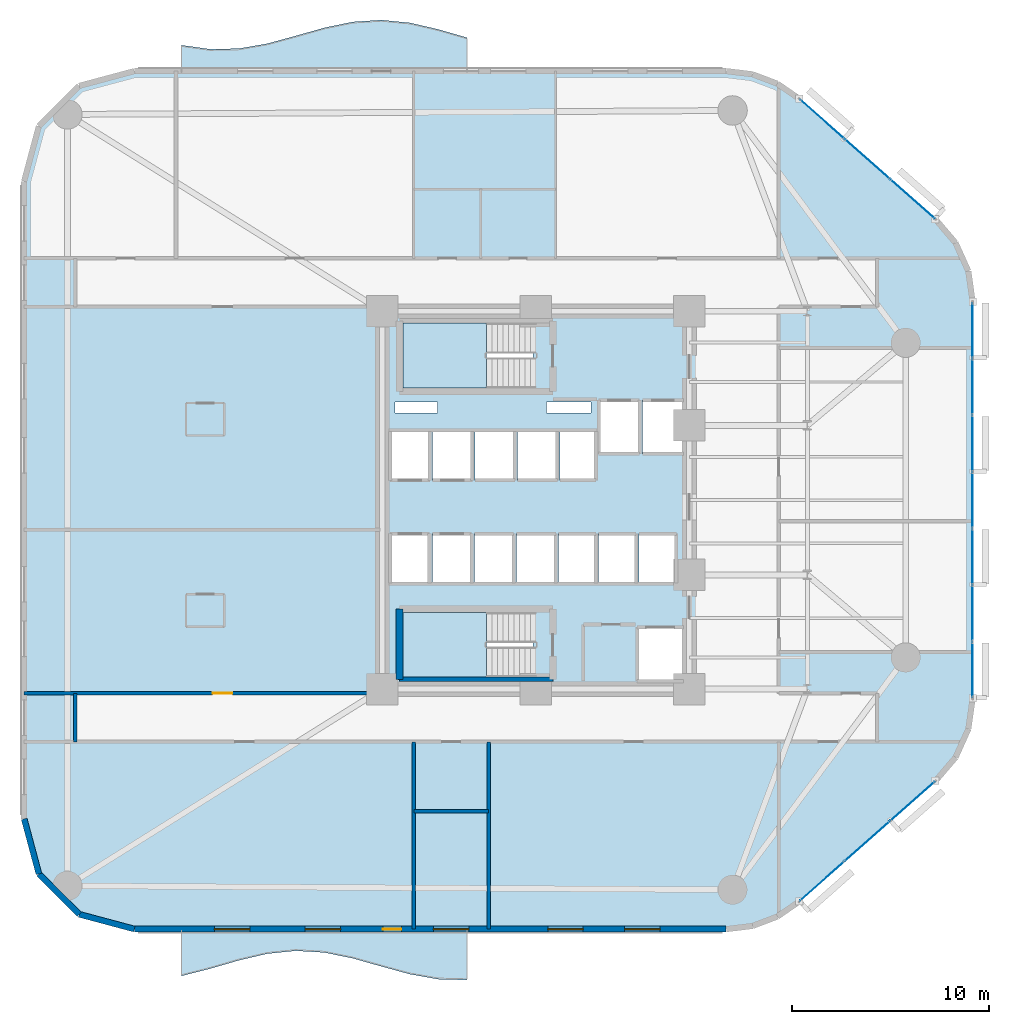
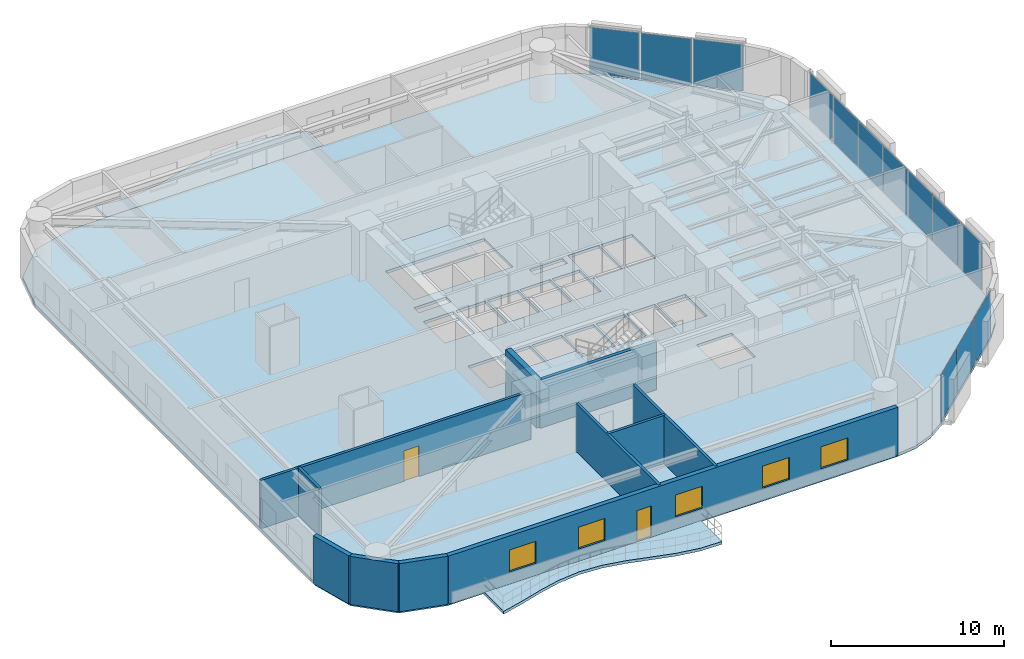
# One storey, part 9 of 16: 13 plates, 11 walls, 5 slabs, 5 windows, 2 doors, 7 openings, 5 elements without a shape of their own.
"""IFC4 building model written with IfcOpenShell, lengths in metres."""

from ifc_helpers import new_model, si_unit, direction, frame, frame_2d, origin, origin_2d, place, context, subcontext, project, spatial, polyline, rectangle, outline, extrude, material, layer, layer_set, type_object, element, fill, aggregate, save


model = new_model("IFC4")

# Units and contexts
model_context = context("Model", 3, precision=1e-05, world=origin(), true_north=direction((0.0, 1.0)))
body_context = subcontext(model_context, "Body", "Model", "MODEL_VIEW")
ifc_project = project(units=[si_unit("LENGTHUNIT", "METRE"), si_unit("AREAUNIT", "SQUARE_METRE"), si_unit("VOLUMEUNIT", "CUBIC_METRE"), si_unit("PLANEANGLEUNIT", "RADIAN"), si_unit("MASSUNIT", "GRAM", prefix="KILO")], contexts=[model_context])

# Site, building, storey
site_placement = place(None, origin())
site = spatial("IfcSite", under=ifc_project, at=site_placement, CompositionType="ELEMENT")
building_placement = place(site_placement, origin())
building = spatial("IfcBuilding", under=site, at=building_placement, Name="An Khanh Terracotta Commons", CompositionType="ELEMENT")
storey_placement = place(building_placement, frame((0.0, 0.0, 43.199951171875)))
storey = spatial("IfcBuildingStorey", under=building, at=storey_placement, Name="L11", CompositionType="ELEMENT", Elevation=43.199951171875)

# Curtain wall, plates
ifc_material_1 = material(Name="Anodised Aluminium 6063-T6", Category="aluminium")
ifc_layer_1 = layer(ifc_material_1, 0.199951171875, Name="Anodised Aluminium 6063-T6")
ifc_layer_set_1 = layer_set([ifc_layer_1], Name="Anodised Aluminium 6063-T6")
curtain_wall_type = type_object("IfcCurtainWallType", Name="CW-SYS-02", PredefinedType="USERDEFINED", material=ifc_layer_set_1)
curtain_wall_1_placement = place(storey_placement, origin())
curtain_wall_1 = element("IfcCurtainWall", 1, at=curtain_wall_1_placement, inside=storey, type_object=curtain_wall_type, Name="L11 CW-02 Unitised Curtain Wall CW-L11-08", ObjectType="UNITISED CURTAIN WALL", PredefinedType="USERDEFINED")
ifc_material_2 = material(Name="Double Low-E Solar Control Glazing", Category="glass")
ifc_layer_2 = layer(ifc_material_2, 0.028076171875, Name="Double Low-E Solar Control Glazing")
ifc_layer_set_2 = layer_set([ifc_layer_2], Name="Double Low-E Solar Control Glazing")
plate_type = type_object("IfcPlateType", Name="CWP-IGU-28", PredefinedType="CURTAIN_PANEL", material=ifc_layer_set_2)
plate_1_placement = place(storey_placement, frame((43.95556640625, 4.637939453125, 0.06005859375), z_axis=(0.0, 0.0, 1.0), x_axis=(0.749019284633, 0.662548195415, 0.0)))
plate_1 = element("IfcPlate", 2, at=plate_1_placement, type_object=plate_type, Name="CW-02 panel 1.1", PredefinedType="CURTAIN_PANEL", context=body_context, shape_type="SweptSolid", body=[
    extrude(rectangle(XDim=2.97509765625, YDim=0.028076171875, at=origin_2d()), origin(), (0.0, 0.0, 1.0), 3.280029296875),
])
plate_2_placement = place(storey_placement, frame((46.24951171875, 6.6669921875, 0.06005859375), z_axis=(0.0, 0.0, 1.0), x_axis=(0.749019284633, 0.662548195415, 0.0)))
plate_2 = element("IfcPlate", 3, at=plate_2_placement, type_object=plate_type, Name="CW-02 panel 2.1", PredefinedType="CURTAIN_PANEL", context=body_context, shape_type="SweptSolid", body=[
    extrude(rectangle(XDim=3.010009765625, YDim=0.028076171875, at=origin_2d()), origin(), (0.0, 0.0, 1.0), 3.280029296875),
])
plate_3_placement = place(storey_placement, frame((48.54345703125, 8.696044921875, 0.06005859375), z_axis=(0.0, 0.0, 1.0), x_axis=(0.749019284633, 0.662548195415, 0.0)))
plate_3 = element("IfcPlate", 4, at=plate_3_placement, type_object=plate_type, Name="CW-02 panel 3.1", PredefinedType="CURTAIN_PANEL", context=body_context, shape_type="SweptSolid", body=[
    extrude(rectangle(XDim=2.97509765625, YDim=0.028076171875, at=origin_2d()), origin(), (0.0, 0.0, 1.0), 3.280029296875),
])
aggregate(curtain_wall_1, [plate_1, plate_2, plate_3])

curtain_wall_2_placement = place(storey_placement, origin())
curtain_wall_2 = element("IfcCurtainWall", 5, at=curtain_wall_2_placement, inside=storey, type_object=curtain_wall_type, Name="L11 CW-02 Unitised Curtain Wall CW-L11-12", ObjectType="UNITISED CURTAIN WALL", PredefinedType="USERDEFINED")
plate_4_placement = place(storey_placement, frame((51.60009765625, 15.380126953125, 0.06005859375), z_axis=(0.0, 0.0, 1.0), x_axis=(0.0, 1.0, 0.0)))
plate_4 = element("IfcPlate", 6, at=plate_4_placement, type_object=plate_type, Name="CW-02 panel 1.1", PredefinedType="CURTAIN_PANEL", context=body_context, shape_type="SweptSolid", body=[
    extrude(rectangle(XDim=2.774169921875, YDim=0.028076171875, at=origin_2d()), origin(), (0.0, 0.0, 1.0), 3.280029296875),
])
plate_5_placement = place(storey_placement, frame((51.60009765625, 18.24169921875, 0.06005859375), z_axis=(0.0, 0.0, 1.0), x_axis=(0.0, 1.0, 0.0)))
plate_5 = element("IfcPlate", 7, at=plate_5_placement, type_object=plate_type, Name="CW-02 panel 2.1", PredefinedType="CURTAIN_PANEL", context=body_context, shape_type="SweptSolid", body=[
    extrude(rectangle(XDim=2.80908203125, YDim=0.028076171875, at=origin_2d()), origin(), (0.0, 0.0, 1.0), 3.280029296875),
])
plate_6_placement = place(storey_placement, frame((51.60009765625, 21.120849609375, 0.06005859375), z_axis=(0.0, 0.0, 1.0), x_axis=(0.0, 1.0, 0.0)))
plate_6 = element("IfcPlate", 8, at=plate_6_placement, type_object=plate_type, Name="CW-02 panel 3.1", PredefinedType="CURTAIN_PANEL", context=body_context, shape_type="SweptSolid", body=[
    extrude(rectangle(XDim=2.80908203125, YDim=0.028076171875, at=origin_2d()), origin(), (0.0, 0.0, 1.0), 3.280029296875),
])
plate_7_placement = place(storey_placement, frame((51.60009765625, 24.0, 0.06005859375), z_axis=(0.0, 0.0, 1.0), x_axis=(0.0, 1.0, 0.0)))
plate_7 = element("IfcPlate", 9, at=plate_7_placement, type_object=plate_type, Name="CW-02 panel 4.1", PredefinedType="CURTAIN_PANEL", context=body_context, shape_type="SweptSolid", body=[
    extrude(rectangle(XDim=2.80908203125, YDim=0.028076171875, at=origin_2d()), origin(), (0.0, 0.0, 1.0), 3.280029296875),
])
plate_8_placement = place(storey_placement, frame((51.60009765625, 26.879150390625, 0.06005859375), z_axis=(0.0, 0.0, 1.0), x_axis=(0.0, 1.0, 0.0)))
plate_8 = element("IfcPlate", 10, at=plate_8_placement, type_object=plate_type, Name="CW-02 panel 5.1", PredefinedType="CURTAIN_PANEL", context=body_context, shape_type="SweptSolid", body=[
    extrude(rectangle(XDim=2.80908203125, YDim=0.028076171875, at=origin_2d()), origin(), (0.0, 0.0, 1.0), 3.280029296875),
])
plate_9_placement = place(storey_placement, frame((51.60009765625, 29.75830078125, 0.06005859375), z_axis=(0.0, 0.0, 1.0), x_axis=(0.0, 1.0, 0.0)))
plate_9 = element("IfcPlate", 11, at=plate_9_placement, type_object=plate_type, Name="CW-02 panel 6.1", PredefinedType="CURTAIN_PANEL", context=body_context, shape_type="SweptSolid", body=[
    extrude(rectangle(XDim=2.80908203125, YDim=0.028076171875, at=origin_2d()), origin(), (0.0, 0.0, 1.0), 3.280029296875),
])
plate_10_placement = place(storey_placement, frame((51.60009765625, 32.619873046875, 0.06005859375), z_axis=(0.0, 0.0, 1.0), x_axis=(0.0, 1.0, 0.0)))
plate_10 = element("IfcPlate", 12, at=plate_10_placement, type_object=plate_type, Name="CW-02 panel 7.1", PredefinedType="CURTAIN_PANEL", context=body_context, shape_type="SweptSolid", body=[
    extrude(rectangle(XDim=2.774169921875, YDim=0.028076171875, at=origin_2d()), origin(), (0.0, 0.0, 1.0), 3.280029296875),
])
aggregate(curtain_wall_2, [plate_4, plate_5, plate_6, plate_7, plate_8, plate_9, plate_10])

curtain_wall_3_placement = place(storey_placement, origin())
curtain_wall_3 = element("IfcCurtainWall", 13, at=curtain_wall_3_placement, inside=storey, type_object=curtain_wall_type, Name="L11 CW-02 Unitised Curtain Wall CW-L11-16", ObjectType="UNITISED CURTAIN WALL", PredefinedType="USERDEFINED")
plate_11_placement = place(storey_placement, frame((48.54345703125, 39.303955078125, 0.06005859375), z_axis=(0.0, 0.0, 1.0), x_axis=(-0.749019284633, 0.662548195415, 0.0)))
plate_11 = element("IfcPlate", 14, at=plate_11_placement, type_object=plate_type, Name="CW-02 panel 1.1", PredefinedType="CURTAIN_PANEL", context=body_context, shape_type="SweptSolid", body=[
    extrude(rectangle(XDim=2.97509765625, YDim=0.028076171875, at=origin_2d()), origin(), (0.0, 0.0, 1.0), 3.280029296875),
])
plate_12_placement = place(storey_placement, frame((46.24951171875, 41.3330078125, 0.06005859375), z_axis=(0.0, 0.0, 1.0), x_axis=(-0.749019284633, 0.662548195415, 0.0)))
plate_12 = element("IfcPlate", 15, at=plate_12_placement, type_object=plate_type, Name="CW-02 panel 2.1", PredefinedType="CURTAIN_PANEL", context=body_context, shape_type="SweptSolid", body=[
    extrude(rectangle(XDim=3.010009765625, YDim=0.028076171875, at=origin_2d()), origin(), (0.0, 0.0, 1.0), 3.280029296875),
])
plate_13_placement = place(storey_placement, frame((43.95556640625, 43.362060546875, 0.06005859375), z_axis=(0.0, 0.0, 1.0), x_axis=(-0.749019284633, 0.662548195415, 0.0)))
plate_13 = element("IfcPlate", 16, at=plate_13_placement, type_object=plate_type, Name="CW-02 panel 3.1", PredefinedType="CURTAIN_PANEL", context=body_context, shape_type="SweptSolid", body=[
    extrude(rectangle(XDim=2.97509765625, YDim=0.028076171875, at=origin_2d()), origin(), (0.0, 0.0, 1.0), 3.280029296875),
])
aggregate(curtain_wall_3, [plate_11, plate_12, plate_13])

# Slabs
ifc_material_3 = material(Name="Concrete C40/50", Category="concrete")
ifc_layer_3 = layer(ifc_material_3, 0.199951171875, Name="Concrete C40/50")
ifc_layer_set_3 = layer_set([ifc_layer_3], Name="Concrete C40/50")
slab_type_1 = type_object("IfcSlabType", Name="SLAB-BALC-200", PredefinedType="FLOOR", material=ifc_layer_set_3)
slab_1_placement = place(storey_placement, frame((0.0, 0.0, -0.199951171875)))
element("IfcSlab", 17, at=slab_1_placement, inside=storey, type_object=slab_type_1, Name="L11 S Sinusoidal Wave Balcony Slab", PredefinedType="FLOOR", context=body_context, shape_type="SweptSolid", body=[
    extrude(outline(polyline([(11.39990234375, 2.199951171875), (11.39990234375, -0.179931640625), (12.85009765625, 0.18896484375), (14.300048828125, 0.610107421875), (15.75, 0.947998046875), (17.199951171875, 1.097900390625), (18.64990234375, 1.010986328125), (20.10009765625, 0.716064453125), (21.550048828125, 0.305908203125), (23.0, -0.091064453125), (24.449951171875, -0.347900390625), (25.89990234375, -0.385986328125), (25.89990234375, 2.199951171875), (11.39990234375, 2.199951171875)])), origin(), (0.0, 0.0, 1.0), 0.199951171875),
])
slab_2_placement = place(storey_placement, frame((0.0, 0.0, -0.199951171875)))
element("IfcSlab", 18, at=slab_2_placement, inside=storey, type_object=slab_type_1, Name="L11 N Sinusoidal Wave Balcony Slab", PredefinedType="FLOOR", context=body_context, shape_type="SweptSolid", body=[
    extrude(outline(polyline([(25.89990234375, 45.800048828125), (25.89990234375, 47.50390625), (24.449951171875, 47.923095703125), (23.0, 48.257080078125), (21.550048828125, 48.39892578125), (20.10009765625, 48.303955078125), (18.64990234375, 48.00390625), (17.199951171875, 47.591064453125), (15.75, 47.197021484375), (14.300048828125, 46.946044921875), (12.85009765625, 46.9169921875), (11.39990234375, 47.1201171875), (11.39990234375, 45.800048828125), (25.89990234375, 45.800048828125)])), origin(), (0.0, 0.0, 1.0), 0.199951171875),
])

# Stair, slab
ifc_material_4 = material(Name="Precast concrete C40/50", Category="concrete")
stair_type = type_object("IfcStairType", Name="STAIR-CORE-1550", PredefinedType="HALF_TURN_STAIR", material=ifc_material_4)
stair_1_placement = place(storey_placement, origin())
stair_1 = element("IfcStair", 19, at=stair_1_placement, inside=storey, type_object=stair_type, Name="L11 Core Smokeproof Exit Stair ST-01", PredefinedType="HALF_TURN_STAIR")
ifc_layer_4 = layer(ifc_material_3, 0.18994140625, Name="Concrete C40/50")
ifc_layer_set_4 = layer_set([ifc_layer_4], Name="Concrete C40/50")
slab_type_2 = type_object("IfcSlabType", Name="SLAB-LANDING-190", PredefinedType="LANDING", material=ifc_layer_set_4)
slab_3_placement = place(storey_placement, frame((0.0, 0.0, 1.60009765625)))
slab_3 = element("IfcSlab", 20, at=slab_3_placement, type_object=slab_type_2, Name="ST-01 landing 1", PredefinedType="LANDING", context=body_context, shape_type="SweptSolid", body=[
    extrude(outline(polyline([(26.889892578125, 33.0), (22.64990234375, 33.0), (22.64990234375, 29.699951171875), (26.889892578125, 29.699951171875), (26.889892578125, 33.0)])), origin(), (0.0, 0.0, 1.0), 0.199951171875),
])
aggregate(stair_1, [slab_3])

stair_2_placement = place(storey_placement, origin())
stair_2 = element("IfcStair", 21, at=stair_2_placement, inside=storey, type_object=stair_type, Name="L11 Core Smokeproof Exit Stair ST-02", PredefinedType="HALF_TURN_STAIR")
slab_4_placement = place(storey_placement, frame((0.0, 0.0, 1.60009765625)))
slab_4 = element("IfcSlab", 22, at=slab_4_placement, type_object=slab_type_2, Name="ST-02 landing 1", PredefinedType="LANDING", context=body_context, shape_type="SweptSolid", body=[
    extrude(outline(polyline([(26.889892578125, 18.300048828125), (22.64990234375, 18.300048828125), (22.64990234375, 15.0), (26.889892578125, 15.0), (26.889892578125, 18.300048828125)])), origin(), (0.0, 0.0, 1.0), 0.199951171875),
])
aggregate(stair_2, [slab_4])

# Slab
ifc_layer_5 = layer(ifc_material_3, 0.199951171875, Name="Concrete C40/50")
ifc_layer_set_5 = layer_set([ifc_layer_5], Name="Concrete C40/50")
slab_type_3 = type_object("IfcSlabType", Name="SLAB-TYP-200", PredefinedType="FLOOR", material=ifc_layer_set_5)
slab_5_placement = place(storey_placement, frame((0.0, 0.0, -0.199951171875)))
element("IfcSlab", 23, at=slab_5_placement, inside=storey, type_object=slab_type_3, Name="L11 Structural Floor Slab", PredefinedType="FLOOR", context=body_context, shape_type="SweptSolid", body=[
    extrude(outline(polyline([(3.39990234375, 7.800048828125), (4.14990234375, 5.0), (6.199951171875, 2.949951171875), (9.0, 2.199951171875), (39.0791015625, 2.199951171875), (40.4169921875, 2.362060546875), (41.678955078125, 2.840087890625), (42.7890625, 3.60595703125), (49.7099609375, 9.72802734375), (50.73193359375, 10.927978515625), (51.37890625, 12.363037109375), (51.60009765625, 13.923095703125), (51.60009765625, 34.076904296875), (51.37890625, 35.636962890625), (50.73193359375, 37.072021484375), (49.7099609375, 38.27197265625), (42.7890625, 44.39404296875), (41.678955078125, 45.159912109375), (40.4169921875, 45.637939453125), (39.0791015625, 45.800048828125), (9.0, 45.800048828125), (6.199951171875, 45.050048828125), (4.14990234375, 43.0), (3.39990234375, 40.199951171875), (3.39990234375, 7.800048828125)]), holes=[polyline([(22.64990234375, 29.699951171875), (29.27001953125, 29.699951171875), (29.27001953125, 33.0), (22.64990234375, 33.0), (22.64990234375, 29.699951171875)]), polyline([(22.64990234375, 15.0), (29.27001953125, 15.0), (29.27001953125, 18.300048828125), (22.64990234375, 18.300048828125), (22.64990234375, 15.0)]), polyline([(32.60009765625, 26.35009765625), (34.679931640625, 26.35009765625), (34.679931640625, 29.080078125), (32.60009765625, 29.080078125), (32.60009765625, 26.35009765625)]), polyline([(34.820068359375, 26.35009765625), (36.89990234375, 26.35009765625), (36.89990234375, 29.080078125), (34.820068359375, 29.080078125), (34.820068359375, 26.35009765625)]), polyline([(34.550048828125, 14.800048828125), (36.89990234375, 14.800048828125), (36.89990234375, 17.550048828125), (34.550048828125, 17.550048828125), (34.550048828125, 14.800048828125)]), polyline([(22.0, 25.0), (24.02001953125, 25.0), (24.02001953125, 27.5), (22.0, 27.5), (22.0, 25.0)]), polyline([(24.159912109375, 25.0), (26.179931640625, 25.0), (26.179931640625, 27.5), (24.159912109375, 27.5), (24.159912109375, 25.0)]), polyline([(22.0, 19.800048828125), (24.0, 19.800048828125), (24.0, 22.300048828125), (22.0, 22.300048828125), (22.0, 19.800048828125)]), polyline([(24.139892578125, 19.800048828125), (26.139892578125, 19.800048828125), (26.139892578125, 22.300048828125), (24.139892578125, 22.300048828125), (24.139892578125, 19.800048828125)]), polyline([(26.320068359375, 25.0), (28.340087890625, 25.0), (28.340087890625, 27.5), (26.320068359375, 27.5), (26.320068359375, 25.0)]), polyline([(28.47998046875, 25.0), (30.5, 25.0), (30.5, 27.5), (28.47998046875, 27.5), (28.47998046875, 25.0)]), polyline([(26.280029296875, 19.800048828125), (28.280029296875, 19.800048828125), (28.280029296875, 22.300048828125), (26.280029296875, 22.300048828125), (26.280029296875, 19.800048828125)]), polyline([(28.419921875, 19.800048828125), (30.419921875, 19.800048828125), (30.419921875, 22.300048828125), (28.419921875, 22.300048828125), (28.419921875, 19.800048828125)]), polyline([(30.639892578125, 25.0), (32.4599609375, 25.0), (32.4599609375, 27.5), (30.639892578125, 27.5), (30.639892578125, 25.0)]), polyline([(30.56005859375, 19.800048828125), (32.4599609375, 19.800048828125), (32.4599609375, 22.300048828125), (30.56005859375, 22.300048828125), (30.56005859375, 19.800048828125)]), polyline([(32.60009765625, 19.800048828125), (34.5, 19.800048828125), (34.5, 22.300048828125), (32.60009765625, 22.300048828125), (32.60009765625, 19.800048828125)]), polyline([(34.639892578125, 19.800048828125), (36.5400390625, 19.800048828125), (36.5400390625, 22.300048828125), (34.639892578125, 22.300048828125), (34.639892578125, 19.800048828125)]), polyline([(22.25, 28.419921875), (24.39990234375, 28.419921875), (24.39990234375, 28.97998046875), (22.25, 28.97998046875), (22.25, 28.419921875)]), polyline([(29.949951171875, 28.419921875), (32.199951171875, 28.419921875), (32.199951171875, 28.97998046875), (29.949951171875, 28.97998046875), (29.949951171875, 28.419921875)])]), origin(), (0.0, 0.0, 1.0), 0.199951171875),
])

# Wall
ifc_material_5 = material(Name="Fire-Rated Gypsum Board on Steel Stud", Category="steel")
ifc_layer_6 = layer(ifc_material_5, 0.179931640625, Name="Fire-Rated Gypsum Board on Steel Stud")
ifc_layer_set_6 = layer_set([ifc_layer_6], Name="Fire-Rated Gypsum Board on Steel Stud")
wall_type_1 = type_object("IfcWallType", Name="WALL-CORR-180", PredefinedType="PARTITIONING", material=ifc_layer_set_6)
wall_1_placement = place(storey_placement, frame((23.199951171875, 8.199951171875, 0.0), z_axis=(0.0, 0.0, 1.0), x_axis=(1.0, 0.0, 0.0)))
element("IfcWall", 24, at=wall_1_placement, inside=storey, type_object=wall_type_1, Name="L11 Interior Partition IW-L11-E001", PredefinedType="PARTITIONING", context=body_context, shape_type="SweptSolid", body=[
    extrude(rectangle(XDim=3.800048828125, YDim=0.179931640625, at=frame_2d((1.89990234375, 0.0))), origin(), (0.0, 0.0, 1.0), 3.400146484375),
])

# Wall, opening, door
wall_2_placement = place(storey_placement, frame((3.39990234375, 14.179931640625, 0.0), z_axis=(0.0, 0.0, 1.0), x_axis=(1.0, 0.0, 0.0)))
wall_2 = element("IfcWall", 25, at=wall_2_placement, inside=storey, type_object=wall_type_1, Name="L11 Interior Partition IW-L11-E003", PredefinedType="PARTITIONING", context=body_context, shape_type="SweptSolid", body=[
    extrude(rectangle(XDim=18.080078125, YDim=0.179931640625, at=frame_2d((9.0400390625, 0.0))), origin(), (0.0, 0.0, 1.0), 3.400146484375),
])
opening_1_placement = place(wall_2_placement, frame((9.580078125, 0.0, 0.0)))
opening_1 = element("IfcOpeningElement", 26, at=opening_1_placement, cuts=wall_2, Name="Opening D-UN", PredefinedType="OPENING", context=body_context, shape_type="SweptSolid", body=[
    extrude(rectangle(XDim=1.0, YDim=2.14990234375, at=frame_2d((0.5, 1.074951171875))), frame((0.0, 0.099853515625, 0.0), z_axis=(0.0, -1.0, 0.0), x_axis=(1.0, 0.0, 0.0)), (0.0, 0.0, 1.0), 0.199951171875),
])
ifc_material_6 = material(Name="Solid-Core Hardwood Acoustic Fire Door", Category="wood")
door_type_1 = type_object("IfcDoorType", Name="DOOR-UNIT-1000", OperationType="NOTDEFINED", PredefinedType="DOOR", material=ifc_material_6)
door_1_placement = place(opening_1_placement, origin())
door_1 = element("IfcDoor", 27, at=door_1_placement, inside=storey, type_object=door_type_1, Name="L11 WW1 Kitchenette and Studio Apartment Door", OperationType="SINGLE_SWING_LEFT", OverallHeight=2.14990234375, OverallWidth=1.0, PredefinedType="DOOR", context=body_context, shape_type="SweptSolid", body=[
    extrude(rectangle(XDim=1.0, YDim=2.14990234375, at=frame_2d((0.5, 1.074951171875))), frame((0.0, 0.02490234375, 0.0), z_axis=(0.0, -1.0, 0.0), x_axis=(1.0, 0.0, 0.0)), (0.0, 0.0, 1.0), 0.050048828125),
])
fill(opening_1, door_1)

# Walls
wall_3_placement = place(storey_placement, frame((6.0, 11.719970703125, 0.0), z_axis=(0.0, 0.0, 1.0), x_axis=(0.0, 1.0, 0.0)))
element("IfcWall", 28, at=wall_3_placement, inside=storey, type_object=wall_type_1, Name="L11 Interior Partition IW-L11-E013", PredefinedType="PARTITIONING", context=body_context, shape_type="SweptSolid", body=[
    extrude(rectangle(XDim=2.4599609375, YDim=0.179931640625, at=frame_2d((1.22998046875, 0.0))), origin(), (0.0, 0.0, 1.0), 3.400146484375),
])
for number, where, z_axis, x_axis, name in (
    (29, (23.199951171875, 2.199951171875, 0.0), (0.0, 0.0, 1.0), (0.0, 1.0, 0.0), "L11 Interior Partition IW-L11-E016"),
    (30, (27.0, 2.199951171875, 0.0), (0.0, 0.0, 1.0), (0.0, 1.0, 0.0), "L11 Interior Partition IW-L11-E019"),
):
    element("IfcWall", number, at=place(storey_placement, frame(where, z_axis=z_axis, x_axis=x_axis)), inside=storey, type_object=wall_type_1, Name=name, PredefinedType="PARTITIONING", context=body_context, shape_type="SweptSolid", body=[
        extrude(rectangle(XDim=9.52001953125, YDim=0.179931640625, at=frame_2d((4.760009765625, 0.0))), origin(), (0.0, 0.0, 1.0), 3.400146484375),
    ])
ifc_layer_7 = layer(ifc_material_4, 0.300048828125, Name="Precast concrete C40/50")
ifc_layer_set_7 = layer_set([ifc_layer_7], Name="Precast concrete C40/50")
wall_type_2 = type_object("IfcWallType", Name="WALL-EXT-300", PredefinedType="SOLIDWALL", material=ifc_layer_set_7)
wall_4_placement = place(storey_placement, frame((3.39990234375, 7.800048828125, 0.0), z_axis=(0.0, 0.0, 1.0), x_axis=(0.258731875344, -0.96594917914, 0.0)))
element("IfcWall", 31, at=wall_4_placement, inside=storey, type_object=wall_type_2, Name="L11 Insulated Terracotta Exterior Wall 1", PredefinedType="SOLIDWALL", context=body_context, shape_type="SweptSolid", body=[
    extrude(rectangle(XDim=2.898681640625, YDim=0.300048828125, at=frame_2d((1.44921875, 0.0))), origin(), (0.0, 0.0, 1.0), 3.400146484375),
])
wall_5_placement = place(storey_placement, frame((4.14990234375, 5.0, 0.0), z_axis=(0.0, 0.0, 1.0), x_axis=(0.707106781187, -0.707106781187, 0.0)))
element("IfcWall", 32, at=wall_5_placement, inside=storey, type_object=wall_type_2, Name="L11 Insulated Terracotta Exterior Wall 2", PredefinedType="SOLIDWALL", context=body_context, shape_type="SweptSolid", body=[
    extrude(rectangle(XDim=2.899169921875, YDim=0.300048828125, at=frame_2d((1.44970703125, 0.0))), origin(), (0.0, 0.0, 1.0), 3.400146484375),
])
wall_6_placement = place(storey_placement, frame((6.199951171875, 2.949951171875, 0.0), z_axis=(0.0, 0.0, 1.0), x_axis=(0.96594917914, -0.258731875344, 0.0)))
element("IfcWall", 33, at=wall_6_placement, inside=storey, type_object=wall_type_2, Name="L11 Insulated Terracotta Exterior Wall 3", PredefinedType="SOLIDWALL", context=body_context, shape_type="SweptSolid", body=[
    extrude(rectangle(XDim=2.898681640625, YDim=0.300048828125, at=frame_2d((1.44921875, 0.0))), origin(), (0.0, 0.0, 1.0), 3.400146484375),
])

# Wall, openings, door, windows
wall_7_placement = place(storey_placement, frame((9.0, 2.199951171875, 0.0), z_axis=(0.0, 0.0, 1.0), x_axis=(1.0, 0.0, 0.0)))
wall_7 = element("IfcWall", 34, at=wall_7_placement, inside=storey, type_object=wall_type_2, Name="L11 Insulated Terracotta Exterior Wall 4", PredefinedType="SOLIDWALL", context=body_context, shape_type="SweptSolid", body=[
    extrude(rectangle(XDim=30.0791015625, YDim=0.300048828125, at=frame_2d((15.03955078125, 0.0))), origin(), (0.0, 0.0, 1.0), 3.400146484375),
])
opening_2_placement = place(wall_7_placement, frame((12.625, 0.0, 0.0)))
opening_2 = element("IfcOpeningElement", 35, at=opening_2_placement, cuts=wall_7, Name="Opening D-BAL", PredefinedType="OPENING", context=body_context, shape_type="SweptSolid", body=[
    extrude(rectangle(XDim=0.949951171875, YDim=2.199951171875, at=frame_2d((0.47509765625, 1.10009765625))), frame((0.0, 0.159912109375, 0.0), z_axis=(0.0, -1.0, 0.0), x_axis=(1.0, 0.0, 0.0)), (0.0, 0.0, 1.0), 0.320068359375),
])
opening_3_placement = place(wall_7_placement, frame((4.06689453125, 0.0, 0.85009765625)))
opening_3 = element("IfcOpeningElement", 36, at=opening_3_placement, cuts=wall_7, Name="Opening W-01", PredefinedType="OPENING", context=body_context, shape_type="SweptSolid", body=[
    extrude(rectangle(XDim=1.800048828125, YDim=1.550048828125, at=frame_2d((0.89990234375, 0.77490234375))), frame((0.0, 0.159912109375, 0.0), z_axis=(0.0, -1.0, 0.0), x_axis=(1.0, 0.0, 0.0)), (0.0, 0.0, 1.0), 0.320068359375),
])
opening_4_placement = place(wall_7_placement, frame((8.68310546875, 0.0, 0.85009765625)))
opening_4 = element("IfcOpeningElement", 37, at=opening_4_placement, cuts=wall_7, Name="Opening W-01", PredefinedType="OPENING", context=body_context, shape_type="SweptSolid", body=[
    extrude(rectangle(XDim=1.800048828125, YDim=1.550048828125, at=frame_2d((0.89990234375, 0.77490234375))), frame((0.0, 0.159912109375, 0.0), z_axis=(0.0, -1.0, 0.0), x_axis=(1.0, 0.0, 0.0)), (0.0, 0.0, 1.0), 0.320068359375),
])
opening_5_placement = place(wall_7_placement, frame((15.199951171875, 0.0, 0.85009765625)))
opening_5 = element("IfcOpeningElement", 38, at=opening_5_placement, cuts=wall_7, Name="Opening W-01", PredefinedType="OPENING", context=body_context, shape_type="SweptSolid", body=[
    extrude(rectangle(XDim=1.800048828125, YDim=1.550048828125, at=frame_2d((0.89990234375, 0.77490234375))), frame((0.0, 0.159912109375, 0.0), z_axis=(0.0, -1.0, 0.0), x_axis=(1.0, 0.0, 0.0)), (0.0, 0.0, 1.0), 0.320068359375),
])
opening_6_placement = place(wall_7_placement, frame((21.010009765625, 0.0, 0.85009765625)))
opening_6 = element("IfcOpeningElement", 39, at=opening_6_placement, cuts=wall_7, Name="Opening W-01", PredefinedType="OPENING", context=body_context, shape_type="SweptSolid", body=[
    extrude(rectangle(XDim=1.800048828125, YDim=1.550048828125, at=frame_2d((0.89990234375, 0.77490234375))), frame((0.0, 0.159912109375, 0.0), z_axis=(0.0, -1.0, 0.0), x_axis=(1.0, 0.0, 0.0)), (0.0, 0.0, 1.0), 0.320068359375),
])
opening_7_placement = place(wall_7_placement, frame((24.9189453125, 0.0, 0.85009765625)))
opening_7 = element("IfcOpeningElement", 40, at=opening_7_placement, cuts=wall_7, Name="Opening W-01", PredefinedType="OPENING", context=body_context, shape_type="SweptSolid", body=[
    extrude(rectangle(XDim=1.800048828125, YDim=1.550048828125, at=frame_2d((0.89990234375, 0.77490234375))), frame((0.0, 0.159912109375, 0.0), z_axis=(0.0, -1.0, 0.0), x_axis=(1.0, 0.0, 0.0)), (0.0, 0.0, 1.0), 0.320068359375),
])
ifc_material_7 = material(Name="Thermally Broken Aluminium and Low-E Glass", Category="aluminium")
door_type_2 = type_object("IfcDoorType", Name="DOOR-BALC-950", OperationType="NOTDEFINED", PredefinedType="DOOR", material=ifc_material_7)
door_2_placement = place(opening_2_placement, origin())
door_2 = element("IfcDoor", 41, at=door_2_placement, inside=storey, type_object=door_type_2, Name="L11 S Wave Balcony Glazed Door", OperationType="SINGLE_SWING_LEFT", OverallHeight=2.199951171875, OverallWidth=0.949951171875, PredefinedType="DOOR", context=body_context, shape_type="SweptSolid", body=[
    extrude(rectangle(XDim=0.949951171875, YDim=2.199951171875, at=frame_2d((0.47509765625, 1.10009765625))), frame((0.0, 0.02490234375, 0.0), z_axis=(0.0, -1.0, 0.0), x_axis=(1.0, 0.0, 0.0)), (0.0, 0.0, 1.0), 0.050048828125),
])
fill(opening_2, door_2)
window_type = type_object("IfcWindowType", Name="WIN-Z1-1800x1550", PartitioningType="DOUBLE_PANEL_VERTICAL", PredefinedType="WINDOW", material=ifc_material_7)
window_1_placement = place(opening_3_placement, origin())
window_1 = element("IfcWindow", 42, at=window_1_placement, inside=storey, type_object=window_type, Name="L11 Operable Casement Window 4.1", OverallHeight=1.550048828125, OverallWidth=1.800048828125, PartitioningType="DOUBLE_PANEL_VERTICAL", PredefinedType="WINDOW", context=body_context, shape_type="SweptSolid", body=[
    extrude(rectangle(XDim=1.800048828125, YDim=1.550048828125, at=frame_2d((0.89990234375, 0.77490234375))), frame((0.0, 0.030029296875, 0.0), z_axis=(0.0, -1.0, 0.0), x_axis=(1.0, 0.0, 0.0)), (0.0, 0.0, 1.0), 0.06005859375),
])
fill(opening_3, window_1)
window_2_placement = place(opening_4_placement, origin())
window_2 = element("IfcWindow", 43, at=window_2_placement, inside=storey, type_object=window_type, Name="L11 Operable Casement Window 4.2", OverallHeight=1.550048828125, OverallWidth=1.800048828125, PartitioningType="DOUBLE_PANEL_VERTICAL", PredefinedType="WINDOW", context=body_context, shape_type="SweptSolid", body=[
    extrude(rectangle(XDim=1.800048828125, YDim=1.550048828125, at=frame_2d((0.89990234375, 0.77490234375))), frame((0.0, 0.030029296875, 0.0), z_axis=(0.0, -1.0, 0.0), x_axis=(1.0, 0.0, 0.0)), (0.0, 0.0, 1.0), 0.06005859375),
])
fill(opening_4, window_2)
window_3_placement = place(opening_5_placement, origin())
window_3 = element("IfcWindow", 44, at=window_3_placement, inside=storey, type_object=window_type, Name="L11 Operable Casement Window 4.3", OverallHeight=1.550048828125, OverallWidth=1.800048828125, PartitioningType="DOUBLE_PANEL_VERTICAL", PredefinedType="WINDOW", context=body_context, shape_type="SweptSolid", body=[
    extrude(rectangle(XDim=1.800048828125, YDim=1.550048828125, at=frame_2d((0.89990234375, 0.77490234375))), frame((0.0, 0.030029296875, 0.0), z_axis=(0.0, -1.0, 0.0), x_axis=(1.0, 0.0, 0.0)), (0.0, 0.0, 1.0), 0.06005859375),
])
fill(opening_5, window_3)
window_4_placement = place(opening_6_placement, origin())
window_4 = element("IfcWindow", 45, at=window_4_placement, inside=storey, type_object=window_type, Name="L11 Operable Casement Window 4.4", OverallHeight=1.550048828125, OverallWidth=1.800048828125, PartitioningType="DOUBLE_PANEL_VERTICAL", PredefinedType="WINDOW", context=body_context, shape_type="SweptSolid", body=[
    extrude(rectangle(XDim=1.800048828125, YDim=1.550048828125, at=frame_2d((0.89990234375, 0.77490234375))), frame((0.0, 0.030029296875, 0.0), z_axis=(0.0, -1.0, 0.0), x_axis=(1.0, 0.0, 0.0)), (0.0, 0.0, 1.0), 0.06005859375),
])
fill(opening_6, window_4)
window_5_placement = place(opening_7_placement, origin())
window_5 = element("IfcWindow", 46, at=window_5_placement, inside=storey, type_object=window_type, Name="L11 Operable Casement Window 4.5", OverallHeight=1.550048828125, OverallWidth=1.800048828125, PartitioningType="DOUBLE_PANEL_VERTICAL", PredefinedType="WINDOW", context=body_context, shape_type="SweptSolid", body=[
    extrude(rectangle(XDim=1.800048828125, YDim=1.550048828125, at=frame_2d((0.89990234375, 0.77490234375))), frame((0.0, 0.030029296875, 0.0), z_axis=(0.0, -1.0, 0.0), x_axis=(1.0, 0.0, 0.0)), (0.0, 0.0, 1.0), 0.06005859375),
])
fill(opening_7, window_5)

# Walls
ifc_material_8 = material(Name="Acoustic Double-Stud Gypsum and Mineral Wool")
ifc_layer_8 = layer(ifc_material_8, 0.219970703125, Name="Acoustic Double-Stud Gypsum and Mineral Wool")
ifc_layer_set_8 = layer_set([ifc_layer_8], Name="Acoustic Double-Stud Gypsum and Mineral Wool")
wall_type_3 = type_object("IfcWallType", Name="WALL-PARTY-220", PredefinedType="PARTITIONING", material=ifc_layer_set_8)
wall_8_placement = place(storey_placement, frame((22.47998046875, 14.889892578125, 0.0), z_axis=(0.0, 0.0, 1.0), x_axis=(1.0, 0.0, 0.0)))
element("IfcWall", 47, at=wall_8_placement, inside=storey, type_object=wall_type_3, Name="L11 Core Wall STW-L11-S-S", PredefinedType="PARTITIONING", context=body_context, shape_type="SweptSolid", body=[
    extrude(rectangle(XDim=7.7900390625, YDim=0.219970703125, at=frame_2d((3.89501953125, 0.0))), origin(), (0.0, 0.0, 1.0), 3.400146484375),
])
ifc_material_9 = material(Name="Concrete C50/60", Category="concrete")
ifc_layer_9 = layer(ifc_material_9, 0.35009765625, Name="Concrete C50/60")
ifc_layer_set_9 = layer_set([ifc_layer_9], Name="Concrete C50/60")
wall_type_4 = type_object("IfcWallType", Name="WALL-SHAFT-350", PredefinedType="SOLIDWALL", material=ifc_layer_set_9)
wall_9_placement = place(storey_placement, frame((22.47998046875, 14.889892578125, 0.0), z_axis=(0.0, 0.0, 1.0), x_axis=(0.0, 1.0, 0.0)))
element("IfcWall", 48, at=wall_9_placement, inside=storey, type_object=wall_type_4, Name="L11 Core Wall STW-L11-S-W", PredefinedType="SOLIDWALL", context=body_context, shape_type="SweptSolid", body=[
    extrude(rectangle(XDim=3.580078125, YDim=0.35009765625, at=frame_2d((1.7900390625, 0.0))), origin(), (0.0, 0.0, 1.0), 3.400146484375),
])

save(model, "model.ifc")
